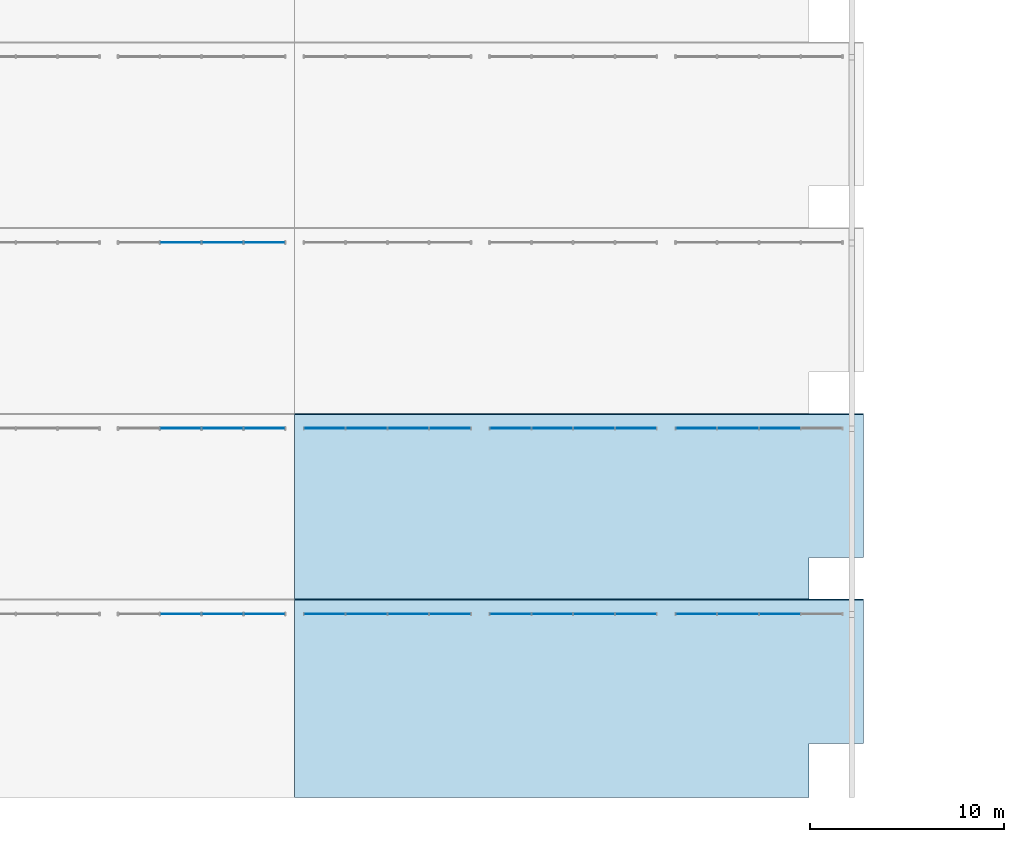
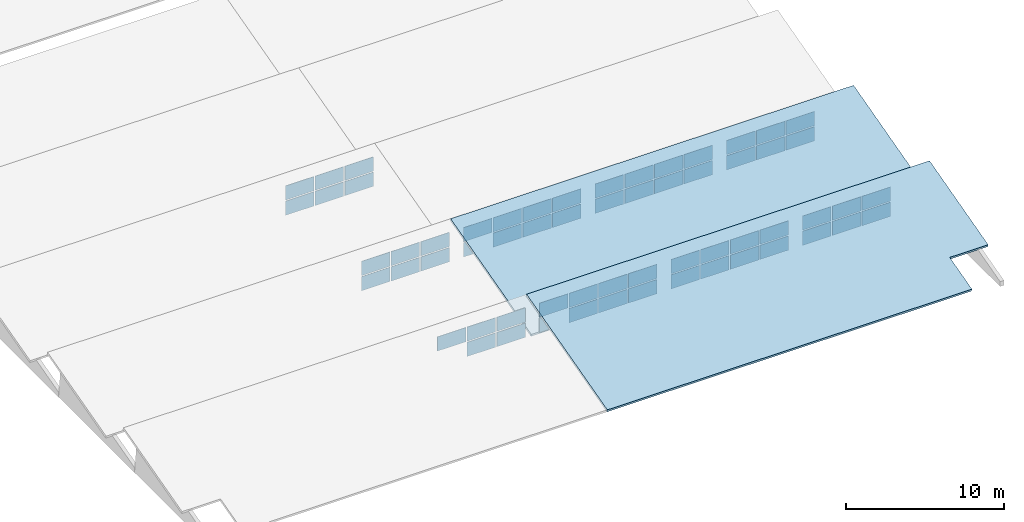
# One storey, part 11 of 18: 61 plates, 2 slabs, 9 elements without a shape of their own.
"""IFC4 building model written with IfcOpenShell, lengths in metres."""

from ifc_helpers import new_model, si_unit, direction, frame, origin, origin_2d, place, context, subcontext, project, spatial, polyline, rectangle, outline, extrude, material, layer, layer_set, type_object, element, aggregate, save


model = new_model("IFC4")

# Units and contexts
model_context = context("Model", 3, precision=1e-05, world=origin(), true_north=direction((0.0, 1.0)))
body_context = subcontext(model_context, "Body", "Model", "MODEL_VIEW")
ifc_project = project(units=[si_unit("LENGTHUNIT", "METRE"), si_unit("AREAUNIT", "SQUARE_METRE"), si_unit("VOLUMEUNIT", "CUBIC_METRE"), si_unit("PLANEANGLEUNIT", "RADIAN"), si_unit("MASSUNIT", "GRAM", prefix="KILO")], contexts=[model_context])

# Site, building, storey
site_placement = place(None, origin())
site = spatial("IfcSite", under=ifc_project, at=site_placement, CompositionType="ELEMENT")
building_placement = place(site_placement, origin())
building = spatial("IfcBuilding", under=site, at=building_placement, Name="Bempovik Park Faculty of Sciences", CompositionType="ELEMENT")
storey_placement = place(building_placement, frame((0.0, 0.0, 50.10009765625)))
storey = spatial("IfcBuildingStorey", under=building, at=storey_placement, Name="Roof", CompositionType="ELEMENT", Elevation=50.10009765625)

# Curtain wall, plates
ifc_material_1 = material(Name="Tempered laminated low-E glass", Category="glass")
ifc_layer_1 = layer(ifc_material_1, 0.159912109375)
ifc_layer_set_1 = layer_set([ifc_layer_1], Name="Tempered laminated low-E glass")
curtain_wall_type_1 = type_object("IfcCurtainWallType", Name="CW-53 Curtain 8000x2550", PredefinedType="USERDEFINED", material=ifc_layer_set_1)
curtain_wall_1_placement = place(storey_placement, origin())
curtain_wall_1 = element("IfcCurtainWall", 1, at=curtain_wall_1_placement, inside=storey, type_object=curtain_wall_type_1, Name="V1 Sawtooth North-Light Clerestory Bay 1 (79.2-88.8)", ObjectType="NORTH LIGHT CLERESTORY", PredefinedType="USERDEFINED")
ifc_layer_2 = layer(ifc_material_1, 0.031982421875)
ifc_layer_set_2 = layer_set([ifc_layer_2], Name="Tempered laminated low-E glass")
plate_type = type_object("IfcPlateType", Name="CP-23 Curtain Panel 32mm", PredefinedType="CURTAIN_PANEL", material=ifc_layer_set_2)
plate_1_placement = place(storey_placement, frame((82.919921875, 29.280029296875, -28.98388671875), z_axis=(0.0, 0.0, 1.0), x_axis=(1.0, 0.0, 0.0)))
plate_1 = element("IfcPlate", 2, at=plate_1_placement, type_object=plate_type, Name="CW-NL-V1-B1-792 Panel 1-1", PredefinedType="CURTAIN_PANEL", context=body_context, shape_type="SweptSolid", body=[
    extrude(rectangle(XDim=2.080078125, YDim=0.035888671875, at=origin_2d()), origin(), (0.0, 0.0, 1.0), 1.09619140625),
])
plate_2_placement = place(storey_placement, frame((85.080078125, 29.280029296875, -30.16015625), z_axis=(0.0, 0.0, 1.0), x_axis=(1.0, 0.0, 0.0)))
plate_2 = element("IfcPlate", 3, at=plate_2_placement, type_object=plate_type, Name="CW-NL-V1-B1-792 Panel 2-0", PredefinedType="CURTAIN_PANEL", context=body_context, shape_type="SweptSolid", body=[
    extrude(rectangle(XDim=2.080078125, YDim=0.035888671875, at=origin_2d()), origin(), (0.0, 0.0, 1.0), 1.09619140625),
])
plate_3_placement = place(storey_placement, frame((85.080078125, 29.280029296875, -28.98388671875), z_axis=(0.0, 0.0, 1.0), x_axis=(1.0, 0.0, 0.0)))
plate_3 = element("IfcPlate", 4, at=plate_3_placement, type_object=plate_type, Name="CW-NL-V1-B1-792 Panel 2-1", PredefinedType="CURTAIN_PANEL", context=body_context, shape_type="SweptSolid", body=[
    extrude(rectangle(XDim=2.080078125, YDim=0.035888671875, at=origin_2d()), origin(), (0.0, 0.0, 1.0), 1.09619140625),
])
plate_4_placement = place(storey_placement, frame((87.239990234375, 29.280029296875, -30.16015625), z_axis=(0.0, 0.0, 1.0), x_axis=(1.0, 0.0, 0.0)))
plate_4 = element("IfcPlate", 5, at=plate_4_placement, type_object=plate_type, Name="CW-NL-V1-B1-792 Panel 3-0", PredefinedType="CURTAIN_PANEL", context=body_context, shape_type="SweptSolid", body=[
    extrude(rectangle(XDim=2.080078125, YDim=0.035888671875, at=origin_2d()), origin(), (0.0, 0.0, 1.0), 1.09619140625),
])
plate_5_placement = place(storey_placement, frame((87.239990234375, 29.280029296875, -28.98388671875), z_axis=(0.0, 0.0, 1.0), x_axis=(1.0, 0.0, 0.0)))
plate_5 = element("IfcPlate", 6, at=plate_5_placement, type_object=plate_type, Name="CW-NL-V1-B1-792 Panel 3-1", PredefinedType="CURTAIN_PANEL", context=body_context, shape_type="SweptSolid", body=[
    extrude(rectangle(XDim=2.080078125, YDim=0.035888671875, at=origin_2d()), origin(), (0.0, 0.0, 1.0), 1.09619140625),
])
aggregate(curtain_wall_1, [plate_1, plate_2, plate_3, plate_4, plate_5])

curtain_wall_2_placement = place(storey_placement, origin())
curtain_wall_2 = element("IfcCurtainWall", 7, at=curtain_wall_2_placement, inside=storey, type_object=curtain_wall_type_1, Name="V1 Sawtooth North-Light Clerestory Bay 1 (88.8-98.4)", ObjectType="NORTH LIGHT CLERESTORY", PredefinedType="USERDEFINED")
plate_6_placement = place(storey_placement, frame((90.360107421875, 29.280029296875, -30.16015625), z_axis=(0.0, 0.0, 1.0), x_axis=(1.0, 0.0, 0.0)))
plate_6 = element("IfcPlate", 8, at=plate_6_placement, type_object=plate_type, Name="CW-NL-V1-B1-888 Panel 0-0", PredefinedType="CURTAIN_PANEL", context=body_context, shape_type="SweptSolid", body=[
    extrude(rectangle(XDim=2.080078125, YDim=0.035888671875, at=origin_2d()), origin(), (0.0, 0.0, 1.0), 1.09619140625),
])
plate_7_placement = place(storey_placement, frame((90.360107421875, 29.280029296875, -28.98388671875), z_axis=(0.0, 0.0, 1.0), x_axis=(1.0, 0.0, 0.0)))
plate_7 = element("IfcPlate", 9, at=plate_7_placement, type_object=plate_type, Name="CW-NL-V1-B1-888 Panel 0-1", PredefinedType="CURTAIN_PANEL", context=body_context, shape_type="SweptSolid", body=[
    extrude(rectangle(XDim=2.080078125, YDim=0.035888671875, at=origin_2d()), origin(), (0.0, 0.0, 1.0), 1.09619140625),
])
plate_8_placement = place(storey_placement, frame((92.52001953125, 29.280029296875, -30.16015625), z_axis=(0.0, 0.0, 1.0), x_axis=(1.0, 0.0, 0.0)))
plate_8 = element("IfcPlate", 10, at=plate_8_placement, type_object=plate_type, Name="CW-NL-V1-B1-888 Panel 1-0", PredefinedType="CURTAIN_PANEL", context=body_context, shape_type="SweptSolid", body=[
    extrude(rectangle(XDim=2.080078125, YDim=0.035888671875, at=origin_2d()), origin(), (0.0, 0.0, 1.0), 1.09619140625),
])
plate_9_placement = place(storey_placement, frame((92.52001953125, 29.280029296875, -28.98388671875), z_axis=(0.0, 0.0, 1.0), x_axis=(1.0, 0.0, 0.0)))
plate_9 = element("IfcPlate", 11, at=plate_9_placement, type_object=plate_type, Name="CW-NL-V1-B1-888 Panel 1-1", PredefinedType="CURTAIN_PANEL", context=body_context, shape_type="SweptSolid", body=[
    extrude(rectangle(XDim=2.080078125, YDim=0.035888671875, at=origin_2d()), origin(), (0.0, 0.0, 1.0), 1.09619140625),
])
plate_10_placement = place(storey_placement, frame((94.679931640625, 29.280029296875, -30.16015625), z_axis=(0.0, 0.0, 1.0), x_axis=(1.0, 0.0, 0.0)))
plate_10 = element("IfcPlate", 12, at=plate_10_placement, type_object=plate_type, Name="CW-NL-V1-B1-888 Panel 2-0", PredefinedType="CURTAIN_PANEL", context=body_context, shape_type="SweptSolid", body=[
    extrude(rectangle(XDim=2.080078125, YDim=0.035888671875, at=origin_2d()), origin(), (0.0, 0.0, 1.0), 1.09619140625),
])
plate_11_placement = place(storey_placement, frame((94.679931640625, 29.280029296875, -28.98388671875), z_axis=(0.0, 0.0, 1.0), x_axis=(1.0, 0.0, 0.0)))
plate_11 = element("IfcPlate", 13, at=plate_11_placement, type_object=plate_type, Name="CW-NL-V1-B1-888 Panel 2-1", PredefinedType="CURTAIN_PANEL", context=body_context, shape_type="SweptSolid", body=[
    extrude(rectangle(XDim=2.080078125, YDim=0.035888671875, at=origin_2d()), origin(), (0.0, 0.0, 1.0), 1.09619140625),
])
plate_12_placement = place(storey_placement, frame((96.840087890625, 29.280029296875, -30.16015625), z_axis=(0.0, 0.0, 1.0), x_axis=(1.0, 0.0, 0.0)))
plate_12 = element("IfcPlate", 14, at=plate_12_placement, type_object=plate_type, Name="CW-NL-V1-B1-888 Panel 3-0", PredefinedType="CURTAIN_PANEL", context=body_context, shape_type="SweptSolid", body=[
    extrude(rectangle(XDim=2.080078125, YDim=0.035888671875, at=origin_2d()), origin(), (0.0, 0.0, 1.0), 1.09619140625),
])
plate_13_placement = place(storey_placement, frame((96.840087890625, 29.280029296875, -28.98388671875), z_axis=(0.0, 0.0, 1.0), x_axis=(1.0, 0.0, 0.0)))
plate_13 = element("IfcPlate", 15, at=plate_13_placement, type_object=plate_type, Name="CW-NL-V1-B1-888 Panel 3-1", PredefinedType="CURTAIN_PANEL", context=body_context, shape_type="SweptSolid", body=[
    extrude(rectangle(XDim=2.080078125, YDim=0.035888671875, at=origin_2d()), origin(), (0.0, 0.0, 1.0), 1.09619140625),
])
aggregate(curtain_wall_2, [plate_6, plate_7, plate_8, plate_9, plate_10, plate_11, plate_12, plate_13])

curtain_wall_3_placement = place(storey_placement, origin())
curtain_wall_3 = element("IfcCurtainWall", 16, at=curtain_wall_3_placement, inside=storey, type_object=curtain_wall_type_1, Name="V1 Sawtooth North-Light Clerestory Bay 1 (98.4-108.0)", ObjectType="NORTH LIGHT CLERESTORY", PredefinedType="USERDEFINED")
plate_14_placement = place(storey_placement, frame((99.9599609375, 29.280029296875, -30.16015625), z_axis=(0.0, 0.0, 1.0), x_axis=(1.0, 0.0, 0.0)))
plate_14 = element("IfcPlate", 17, at=plate_14_placement, type_object=plate_type, Name="CW-NL-V1-B1-984 Panel 0-0", PredefinedType="CURTAIN_PANEL", context=body_context, shape_type="SweptSolid", body=[
    extrude(rectangle(XDim=2.080078125, YDim=0.035888671875, at=origin_2d()), origin(), (0.0, 0.0, 1.0), 1.09619140625),
])
plate_15_placement = place(storey_placement, frame((99.9599609375, 29.280029296875, -28.98388671875), z_axis=(0.0, 0.0, 1.0), x_axis=(1.0, 0.0, 0.0)))
plate_15 = element("IfcPlate", 18, at=plate_15_placement, type_object=plate_type, Name="CW-NL-V1-B1-984 Panel 0-1", PredefinedType="CURTAIN_PANEL", context=body_context, shape_type="SweptSolid", body=[
    extrude(rectangle(XDim=2.080078125, YDim=0.035888671875, at=origin_2d()), origin(), (0.0, 0.0, 1.0), 1.09619140625),
])
plate_16_placement = place(storey_placement, frame((102.1201171875, 29.280029296875, -30.16015625), z_axis=(0.0, 0.0, 1.0), x_axis=(1.0, 0.0, 0.0)))
plate_16 = element("IfcPlate", 19, at=plate_16_placement, type_object=plate_type, Name="CW-NL-V1-B1-984 Panel 1-0", PredefinedType="CURTAIN_PANEL", context=body_context, shape_type="SweptSolid", body=[
    extrude(rectangle(XDim=2.080078125, YDim=0.035888671875, at=origin_2d()), origin(), (0.0, 0.0, 1.0), 1.09619140625),
])
plate_17_placement = place(storey_placement, frame((102.1201171875, 29.280029296875, -28.98388671875), z_axis=(0.0, 0.0, 1.0), x_axis=(1.0, 0.0, 0.0)))
plate_17 = element("IfcPlate", 20, at=plate_17_placement, type_object=plate_type, Name="CW-NL-V1-B1-984 Panel 1-1", PredefinedType="CURTAIN_PANEL", context=body_context, shape_type="SweptSolid", body=[
    extrude(rectangle(XDim=2.080078125, YDim=0.035888671875, at=origin_2d()), origin(), (0.0, 0.0, 1.0), 1.09619140625),
])
plate_18_placement = place(storey_placement, frame((104.280029296875, 29.280029296875, -30.16015625), z_axis=(0.0, 0.0, 1.0), x_axis=(1.0, 0.0, 0.0)))
plate_18 = element("IfcPlate", 21, at=plate_18_placement, type_object=plate_type, Name="CW-NL-V1-B1-984 Panel 2-0", PredefinedType="CURTAIN_PANEL", context=body_context, shape_type="SweptSolid", body=[
    extrude(rectangle(XDim=2.080078125, YDim=0.035888671875, at=origin_2d()), origin(), (0.0, 0.0, 1.0), 1.09619140625),
])
plate_19_placement = place(storey_placement, frame((104.280029296875, 29.280029296875, -28.98388671875), z_axis=(0.0, 0.0, 1.0), x_axis=(1.0, 0.0, 0.0)))
plate_19 = element("IfcPlate", 22, at=plate_19_placement, type_object=plate_type, Name="CW-NL-V1-B1-984 Panel 2-1", PredefinedType="CURTAIN_PANEL", context=body_context, shape_type="SweptSolid", body=[
    extrude(rectangle(XDim=2.080078125, YDim=0.035888671875, at=origin_2d()), origin(), (0.0, 0.0, 1.0), 1.09619140625),
])
plate_20_placement = place(storey_placement, frame((106.43994140625, 29.280029296875, -30.16015625), z_axis=(0.0, 0.0, 1.0), x_axis=(1.0, 0.0, 0.0)))
plate_20 = element("IfcPlate", 23, at=plate_20_placement, type_object=plate_type, Name="CW-NL-V1-B1-984 Panel 3-0", PredefinedType="CURTAIN_PANEL", context=body_context, shape_type="SweptSolid", body=[
    extrude(rectangle(XDim=2.080078125, YDim=0.035888671875, at=origin_2d()), origin(), (0.0, 0.0, 1.0), 1.09619140625),
])
plate_21_placement = place(storey_placement, frame((106.43994140625, 29.280029296875, -28.98388671875), z_axis=(0.0, 0.0, 1.0), x_axis=(1.0, 0.0, 0.0)))
plate_21 = element("IfcPlate", 24, at=plate_21_placement, type_object=plate_type, Name="CW-NL-V1-B1-984 Panel 3-1", PredefinedType="CURTAIN_PANEL", context=body_context, shape_type="SweptSolid", body=[
    extrude(rectangle(XDim=2.080078125, YDim=0.035888671875, at=origin_2d()), origin(), (0.0, 0.0, 1.0), 1.09619140625),
])
aggregate(curtain_wall_3, [plate_14, plate_15, plate_16, plate_17, plate_18, plate_19, plate_20, plate_21])

ifc_layer_3 = layer(ifc_material_1, 0.159912109375)
ifc_layer_set_3 = layer_set([ifc_layer_3], Name="Tempered laminated low-E glass")
curtain_wall_type_2 = type_object("IfcCurtainWallType", Name="CW-17 Curtain 7200x2550", PredefinedType="USERDEFINED", material=ifc_layer_set_3)
curtain_wall_4_placement = place(storey_placement, origin())
curtain_wall_4 = element("IfcCurtainWall", 25, at=curtain_wall_4_placement, inside=storey, type_object=curtain_wall_type_2, Name="V1 Sawtooth North-Light Clerestory Bay 1 (108.0-117.6)", ObjectType="NORTH LIGHT CLERESTORY", PredefinedType="USERDEFINED")
plate_22_placement = place(storey_placement, frame((109.56005859375, 29.280029296875, -30.16015625), z_axis=(0.0, 0.0, 1.0), x_axis=(1.0, 0.0, 0.0)))
plate_22 = element("IfcPlate", 26, at=plate_22_placement, type_object=plate_type, Name="CW-NL-V1-B1-1080 Panel 0-0", PredefinedType="CURTAIN_PANEL", context=body_context, shape_type="SweptSolid", body=[
    extrude(rectangle(XDim=2.080078125, YDim=0.035888671875, at=origin_2d()), origin(), (0.0, 0.0, 1.0), 1.09619140625),
])
plate_23_placement = place(storey_placement, frame((109.56005859375, 29.280029296875, -28.98388671875), z_axis=(0.0, 0.0, 1.0), x_axis=(1.0, 0.0, 0.0)))
plate_23 = element("IfcPlate", 27, at=plate_23_placement, type_object=plate_type, Name="CW-NL-V1-B1-1080 Panel 0-1", PredefinedType="CURTAIN_PANEL", context=body_context, shape_type="SweptSolid", body=[
    extrude(rectangle(XDim=2.080078125, YDim=0.035888671875, at=origin_2d()), origin(), (0.0, 0.0, 1.0), 1.09619140625),
])
plate_24_placement = place(storey_placement, frame((111.719970703125, 29.280029296875, -30.16015625), z_axis=(0.0, 0.0, 1.0), x_axis=(1.0, 0.0, 0.0)))
plate_24 = element("IfcPlate", 28, at=plate_24_placement, type_object=plate_type, Name="CW-NL-V1-B1-1080 Panel 1-0", PredefinedType="CURTAIN_PANEL", context=body_context, shape_type="SweptSolid", body=[
    extrude(rectangle(XDim=2.080078125, YDim=0.035888671875, at=origin_2d()), origin(), (0.0, 0.0, 1.0), 1.09619140625),
])
plate_25_placement = place(storey_placement, frame((111.719970703125, 29.280029296875, -28.98388671875), z_axis=(0.0, 0.0, 1.0), x_axis=(1.0, 0.0, 0.0)))
plate_25 = element("IfcPlate", 29, at=plate_25_placement, type_object=plate_type, Name="CW-NL-V1-B1-1080 Panel 1-1", PredefinedType="CURTAIN_PANEL", context=body_context, shape_type="SweptSolid", body=[
    extrude(rectangle(XDim=2.080078125, YDim=0.035888671875, at=origin_2d()), origin(), (0.0, 0.0, 1.0), 1.09619140625),
])
plate_26_placement = place(storey_placement, frame((113.8798828125, 29.280029296875, -30.16015625), z_axis=(0.0, 0.0, 1.0), x_axis=(1.0, 0.0, 0.0)))
plate_26 = element("IfcPlate", 30, at=plate_26_placement, type_object=plate_type, Name="CW-NL-V1-B1-1080 Panel 2-0", PredefinedType="CURTAIN_PANEL", context=body_context, shape_type="SweptSolid", body=[
    extrude(rectangle(XDim=2.080078125, YDim=0.035888671875, at=origin_2d()), origin(), (0.0, 0.0, 1.0), 1.09619140625),
])
plate_27_placement = place(storey_placement, frame((113.8798828125, 29.280029296875, -28.98388671875), z_axis=(0.0, 0.0, 1.0), x_axis=(1.0, 0.0, 0.0)))
plate_27 = element("IfcPlate", 31, at=plate_27_placement, type_object=plate_type, Name="CW-NL-V1-B1-1080 Panel 2-1", PredefinedType="CURTAIN_PANEL", context=body_context, shape_type="SweptSolid", body=[
    extrude(rectangle(XDim=2.080078125, YDim=0.035888671875, at=origin_2d()), origin(), (0.0, 0.0, 1.0), 1.09619140625),
])
aggregate(curtain_wall_4, [plate_22, plate_23, plate_24, plate_25, plate_26, plate_27])

curtain_wall_5_placement = place(storey_placement, origin())
curtain_wall_5 = element("IfcCurtainWall", 32, at=curtain_wall_5_placement, inside=storey, type_object=curtain_wall_type_1, Name="V1 Sawtooth North-Light Clerestory Bay 2 (79.2-88.8)", ObjectType="NORTH LIGHT CLERESTORY", PredefinedType="USERDEFINED")
plate_28_placement = place(storey_placement, frame((82.919921875, 38.8798828125, -30.16015625), z_axis=(0.0, 0.0, 1.0), x_axis=(1.0, 0.0, 0.0)))
plate_28 = element("IfcPlate", 33, at=plate_28_placement, type_object=plate_type, Name="CW-NL-V1-B2-792 Panel 1-0", PredefinedType="CURTAIN_PANEL", context=body_context, shape_type="SweptSolid", body=[
    extrude(rectangle(XDim=2.080078125, YDim=0.035888671875, at=origin_2d()), origin(), (0.0, 0.0, 1.0), 1.09619140625),
])
plate_29_placement = place(storey_placement, frame((82.919921875, 38.8798828125, -28.98388671875), z_axis=(0.0, 0.0, 1.0), x_axis=(1.0, 0.0, 0.0)))
plate_29 = element("IfcPlate", 34, at=plate_29_placement, type_object=plate_type, Name="CW-NL-V1-B2-792 Panel 1-1", PredefinedType="CURTAIN_PANEL", context=body_context, shape_type="SweptSolid", body=[
    extrude(rectangle(XDim=2.080078125, YDim=0.035888671875, at=origin_2d()), origin(), (0.0, 0.0, 1.0), 1.09619140625),
])
plate_30_placement = place(storey_placement, frame((85.080078125, 38.8798828125, -30.16015625), z_axis=(0.0, 0.0, 1.0), x_axis=(1.0, 0.0, 0.0)))
plate_30 = element("IfcPlate", 35, at=plate_30_placement, type_object=plate_type, Name="CW-NL-V1-B2-792 Panel 2-0", PredefinedType="CURTAIN_PANEL", context=body_context, shape_type="SweptSolid", body=[
    extrude(rectangle(XDim=2.080078125, YDim=0.035888671875, at=origin_2d()), origin(), (0.0, 0.0, 1.0), 1.09619140625),
])
plate_31_placement = place(storey_placement, frame((85.080078125, 38.8798828125, -28.98388671875), z_axis=(0.0, 0.0, 1.0), x_axis=(1.0, 0.0, 0.0)))
plate_31 = element("IfcPlate", 36, at=plate_31_placement, type_object=plate_type, Name="CW-NL-V1-B2-792 Panel 2-1", PredefinedType="CURTAIN_PANEL", context=body_context, shape_type="SweptSolid", body=[
    extrude(rectangle(XDim=2.080078125, YDim=0.035888671875, at=origin_2d()), origin(), (0.0, 0.0, 1.0), 1.09619140625),
])
plate_32_placement = place(storey_placement, frame((87.239990234375, 38.8798828125, -30.16015625), z_axis=(0.0, 0.0, 1.0), x_axis=(1.0, 0.0, 0.0)))
plate_32 = element("IfcPlate", 37, at=plate_32_placement, type_object=plate_type, Name="CW-NL-V1-B2-792 Panel 3-0", PredefinedType="CURTAIN_PANEL", context=body_context, shape_type="SweptSolid", body=[
    extrude(rectangle(XDim=2.080078125, YDim=0.035888671875, at=origin_2d()), origin(), (0.0, 0.0, 1.0), 1.09619140625),
])
plate_33_placement = place(storey_placement, frame((87.239990234375, 38.8798828125, -28.98388671875), z_axis=(0.0, 0.0, 1.0), x_axis=(1.0, 0.0, 0.0)))
plate_33 = element("IfcPlate", 38, at=plate_33_placement, type_object=plate_type, Name="CW-NL-V1-B2-792 Panel 3-1", PredefinedType="CURTAIN_PANEL", context=body_context, shape_type="SweptSolid", body=[
    extrude(rectangle(XDim=2.080078125, YDim=0.035888671875, at=origin_2d()), origin(), (0.0, 0.0, 1.0), 1.09619140625),
])
aggregate(curtain_wall_5, [plate_28, plate_29, plate_30, plate_31, plate_32, plate_33])

curtain_wall_6_placement = place(storey_placement, origin())
curtain_wall_6 = element("IfcCurtainWall", 39, at=curtain_wall_6_placement, inside=storey, type_object=curtain_wall_type_1, Name="V1 Sawtooth North-Light Clerestory Bay 2 (88.8-98.4)", ObjectType="NORTH LIGHT CLERESTORY", PredefinedType="USERDEFINED")
plate_34_placement = place(storey_placement, frame((90.360107421875, 38.8798828125, -30.16015625), z_axis=(0.0, 0.0, 1.0), x_axis=(1.0, 0.0, 0.0)))
plate_34 = element("IfcPlate", 40, at=plate_34_placement, type_object=plate_type, Name="CW-NL-V1-B2-888 Panel 0-0", PredefinedType="CURTAIN_PANEL", context=body_context, shape_type="SweptSolid", body=[
    extrude(rectangle(XDim=2.080078125, YDim=0.035888671875, at=origin_2d()), origin(), (0.0, 0.0, 1.0), 1.09619140625),
])
plate_35_placement = place(storey_placement, frame((90.360107421875, 38.8798828125, -28.98388671875), z_axis=(0.0, 0.0, 1.0), x_axis=(1.0, 0.0, 0.0)))
plate_35 = element("IfcPlate", 41, at=plate_35_placement, type_object=plate_type, Name="CW-NL-V1-B2-888 Panel 0-1", PredefinedType="CURTAIN_PANEL", context=body_context, shape_type="SweptSolid", body=[
    extrude(rectangle(XDim=2.080078125, YDim=0.035888671875, at=origin_2d()), origin(), (0.0, 0.0, 1.0), 1.09619140625),
])
plate_36_placement = place(storey_placement, frame((92.52001953125, 38.8798828125, -30.16015625), z_axis=(0.0, 0.0, 1.0), x_axis=(1.0, 0.0, 0.0)))
plate_36 = element("IfcPlate", 42, at=plate_36_placement, type_object=plate_type, Name="CW-NL-V1-B2-888 Panel 1-0", PredefinedType="CURTAIN_PANEL", context=body_context, shape_type="SweptSolid", body=[
    extrude(rectangle(XDim=2.080078125, YDim=0.035888671875, at=origin_2d()), origin(), (0.0, 0.0, 1.0), 1.09619140625),
])
plate_37_placement = place(storey_placement, frame((92.52001953125, 38.8798828125, -28.98388671875), z_axis=(0.0, 0.0, 1.0), x_axis=(1.0, 0.0, 0.0)))
plate_37 = element("IfcPlate", 43, at=plate_37_placement, type_object=plate_type, Name="CW-NL-V1-B2-888 Panel 1-1", PredefinedType="CURTAIN_PANEL", context=body_context, shape_type="SweptSolid", body=[
    extrude(rectangle(XDim=2.080078125, YDim=0.035888671875, at=origin_2d()), origin(), (0.0, 0.0, 1.0), 1.09619140625),
])
plate_38_placement = place(storey_placement, frame((94.679931640625, 38.8798828125, -30.16015625), z_axis=(0.0, 0.0, 1.0), x_axis=(1.0, 0.0, 0.0)))
plate_38 = element("IfcPlate", 44, at=plate_38_placement, type_object=plate_type, Name="CW-NL-V1-B2-888 Panel 2-0", PredefinedType="CURTAIN_PANEL", context=body_context, shape_type="SweptSolid", body=[
    extrude(rectangle(XDim=2.080078125, YDim=0.035888671875, at=origin_2d()), origin(), (0.0, 0.0, 1.0), 1.09619140625),
])
plate_39_placement = place(storey_placement, frame((94.679931640625, 38.8798828125, -28.98388671875), z_axis=(0.0, 0.0, 1.0), x_axis=(1.0, 0.0, 0.0)))
plate_39 = element("IfcPlate", 45, at=plate_39_placement, type_object=plate_type, Name="CW-NL-V1-B2-888 Panel 2-1", PredefinedType="CURTAIN_PANEL", context=body_context, shape_type="SweptSolid", body=[
    extrude(rectangle(XDim=2.080078125, YDim=0.035888671875, at=origin_2d()), origin(), (0.0, 0.0, 1.0), 1.09619140625),
])
plate_40_placement = place(storey_placement, frame((96.840087890625, 38.8798828125, -30.16015625), z_axis=(0.0, 0.0, 1.0), x_axis=(1.0, 0.0, 0.0)))
plate_40 = element("IfcPlate", 46, at=plate_40_placement, type_object=plate_type, Name="CW-NL-V1-B2-888 Panel 3-0", PredefinedType="CURTAIN_PANEL", context=body_context, shape_type="SweptSolid", body=[
    extrude(rectangle(XDim=2.080078125, YDim=0.035888671875, at=origin_2d()), origin(), (0.0, 0.0, 1.0), 1.09619140625),
])
plate_41_placement = place(storey_placement, frame((96.840087890625, 38.8798828125, -28.98388671875), z_axis=(0.0, 0.0, 1.0), x_axis=(1.0, 0.0, 0.0)))
plate_41 = element("IfcPlate", 47, at=plate_41_placement, type_object=plate_type, Name="CW-NL-V1-B2-888 Panel 3-1", PredefinedType="CURTAIN_PANEL", context=body_context, shape_type="SweptSolid", body=[
    extrude(rectangle(XDim=2.080078125, YDim=0.035888671875, at=origin_2d()), origin(), (0.0, 0.0, 1.0), 1.09619140625),
])
aggregate(curtain_wall_6, [plate_34, plate_35, plate_36, plate_37, plate_38, plate_39, plate_40, plate_41])

curtain_wall_7_placement = place(storey_placement, origin())
curtain_wall_7 = element("IfcCurtainWall", 48, at=curtain_wall_7_placement, inside=storey, type_object=curtain_wall_type_1, Name="V1 Sawtooth North-Light Clerestory Bay 2 (98.4-108.0)", ObjectType="NORTH LIGHT CLERESTORY", PredefinedType="USERDEFINED")
plate_42_placement = place(storey_placement, frame((99.9599609375, 38.8798828125, -30.16015625), z_axis=(0.0, 0.0, 1.0), x_axis=(1.0, 0.0, 0.0)))
plate_42 = element("IfcPlate", 49, at=plate_42_placement, type_object=plate_type, Name="CW-NL-V1-B2-984 Panel 0-0", PredefinedType="CURTAIN_PANEL", context=body_context, shape_type="SweptSolid", body=[
    extrude(rectangle(XDim=2.080078125, YDim=0.035888671875, at=origin_2d()), origin(), (0.0, 0.0, 1.0), 1.09619140625),
])
plate_43_placement = place(storey_placement, frame((99.9599609375, 38.8798828125, -28.98388671875), z_axis=(0.0, 0.0, 1.0), x_axis=(1.0, 0.0, 0.0)))
plate_43 = element("IfcPlate", 50, at=plate_43_placement, type_object=plate_type, Name="CW-NL-V1-B2-984 Panel 0-1", PredefinedType="CURTAIN_PANEL", context=body_context, shape_type="SweptSolid", body=[
    extrude(rectangle(XDim=2.080078125, YDim=0.035888671875, at=origin_2d()), origin(), (0.0, 0.0, 1.0), 1.09619140625),
])
plate_44_placement = place(storey_placement, frame((102.1201171875, 38.8798828125, -30.16015625), z_axis=(0.0, 0.0, 1.0), x_axis=(1.0, 0.0, 0.0)))
plate_44 = element("IfcPlate", 51, at=plate_44_placement, type_object=plate_type, Name="CW-NL-V1-B2-984 Panel 1-0", PredefinedType="CURTAIN_PANEL", context=body_context, shape_type="SweptSolid", body=[
    extrude(rectangle(XDim=2.080078125, YDim=0.035888671875, at=origin_2d()), origin(), (0.0, 0.0, 1.0), 1.09619140625),
])
plate_45_placement = place(storey_placement, frame((102.1201171875, 38.8798828125, -28.98388671875), z_axis=(0.0, 0.0, 1.0), x_axis=(1.0, 0.0, 0.0)))
plate_45 = element("IfcPlate", 52, at=plate_45_placement, type_object=plate_type, Name="CW-NL-V1-B2-984 Panel 1-1", PredefinedType="CURTAIN_PANEL", context=body_context, shape_type="SweptSolid", body=[
    extrude(rectangle(XDim=2.080078125, YDim=0.035888671875, at=origin_2d()), origin(), (0.0, 0.0, 1.0), 1.09619140625),
])
plate_46_placement = place(storey_placement, frame((104.280029296875, 38.8798828125, -30.16015625), z_axis=(0.0, 0.0, 1.0), x_axis=(1.0, 0.0, 0.0)))
plate_46 = element("IfcPlate", 53, at=plate_46_placement, type_object=plate_type, Name="CW-NL-V1-B2-984 Panel 2-0", PredefinedType="CURTAIN_PANEL", context=body_context, shape_type="SweptSolid", body=[
    extrude(rectangle(XDim=2.080078125, YDim=0.035888671875, at=origin_2d()), origin(), (0.0, 0.0, 1.0), 1.09619140625),
])
plate_47_placement = place(storey_placement, frame((104.280029296875, 38.8798828125, -28.98388671875), z_axis=(0.0, 0.0, 1.0), x_axis=(1.0, 0.0, 0.0)))
plate_47 = element("IfcPlate", 54, at=plate_47_placement, type_object=plate_type, Name="CW-NL-V1-B2-984 Panel 2-1", PredefinedType="CURTAIN_PANEL", context=body_context, shape_type="SweptSolid", body=[
    extrude(rectangle(XDim=2.080078125, YDim=0.035888671875, at=origin_2d()), origin(), (0.0, 0.0, 1.0), 1.09619140625),
])
plate_48_placement = place(storey_placement, frame((106.43994140625, 38.8798828125, -30.16015625), z_axis=(0.0, 0.0, 1.0), x_axis=(1.0, 0.0, 0.0)))
plate_48 = element("IfcPlate", 55, at=plate_48_placement, type_object=plate_type, Name="CW-NL-V1-B2-984 Panel 3-0", PredefinedType="CURTAIN_PANEL", context=body_context, shape_type="SweptSolid", body=[
    extrude(rectangle(XDim=2.080078125, YDim=0.035888671875, at=origin_2d()), origin(), (0.0, 0.0, 1.0), 1.09619140625),
])
plate_49_placement = place(storey_placement, frame((106.43994140625, 38.8798828125, -28.98388671875), z_axis=(0.0, 0.0, 1.0), x_axis=(1.0, 0.0, 0.0)))
plate_49 = element("IfcPlate", 56, at=plate_49_placement, type_object=plate_type, Name="CW-NL-V1-B2-984 Panel 3-1", PredefinedType="CURTAIN_PANEL", context=body_context, shape_type="SweptSolid", body=[
    extrude(rectangle(XDim=2.080078125, YDim=0.035888671875, at=origin_2d()), origin(), (0.0, 0.0, 1.0), 1.09619140625),
])
aggregate(curtain_wall_7, [plate_42, plate_43, plate_44, plate_45, plate_46, plate_47, plate_48, plate_49])

curtain_wall_8_placement = place(storey_placement, origin())
curtain_wall_8 = element("IfcCurtainWall", 57, at=curtain_wall_8_placement, inside=storey, type_object=curtain_wall_type_2, Name="V1 Sawtooth North-Light Clerestory Bay 2 (108.0-117.6)", ObjectType="NORTH LIGHT CLERESTORY", PredefinedType="USERDEFINED")
plate_50_placement = place(storey_placement, frame((109.56005859375, 38.8798828125, -30.16015625), z_axis=(0.0, 0.0, 1.0), x_axis=(1.0, 0.0, 0.0)))
plate_50 = element("IfcPlate", 58, at=plate_50_placement, type_object=plate_type, Name="CW-NL-V1-B2-1080 Panel 0-0", PredefinedType="CURTAIN_PANEL", context=body_context, shape_type="SweptSolid", body=[
    extrude(rectangle(XDim=2.080078125, YDim=0.035888671875, at=origin_2d()), origin(), (0.0, 0.0, 1.0), 1.09619140625),
])
plate_51_placement = place(storey_placement, frame((109.56005859375, 38.8798828125, -28.98388671875), z_axis=(0.0, 0.0, 1.0), x_axis=(1.0, 0.0, 0.0)))
plate_51 = element("IfcPlate", 59, at=plate_51_placement, type_object=plate_type, Name="CW-NL-V1-B2-1080 Panel 0-1", PredefinedType="CURTAIN_PANEL", context=body_context, shape_type="SweptSolid", body=[
    extrude(rectangle(XDim=2.080078125, YDim=0.035888671875, at=origin_2d()), origin(), (0.0, 0.0, 1.0), 1.09619140625),
])
plate_52_placement = place(storey_placement, frame((111.719970703125, 38.8798828125, -30.16015625), z_axis=(0.0, 0.0, 1.0), x_axis=(1.0, 0.0, 0.0)))
plate_52 = element("IfcPlate", 60, at=plate_52_placement, type_object=plate_type, Name="CW-NL-V1-B2-1080 Panel 1-0", PredefinedType="CURTAIN_PANEL", context=body_context, shape_type="SweptSolid", body=[
    extrude(rectangle(XDim=2.080078125, YDim=0.035888671875, at=origin_2d()), origin(), (0.0, 0.0, 1.0), 1.09619140625),
])
plate_53_placement = place(storey_placement, frame((111.719970703125, 38.8798828125, -28.98388671875), z_axis=(0.0, 0.0, 1.0), x_axis=(1.0, 0.0, 0.0)))
plate_53 = element("IfcPlate", 61, at=plate_53_placement, type_object=plate_type, Name="CW-NL-V1-B2-1080 Panel 1-1", PredefinedType="CURTAIN_PANEL", context=body_context, shape_type="SweptSolid", body=[
    extrude(rectangle(XDim=2.080078125, YDim=0.035888671875, at=origin_2d()), origin(), (0.0, 0.0, 1.0), 1.09619140625),
])
plate_54_placement = place(storey_placement, frame((113.8798828125, 38.8798828125, -30.16015625), z_axis=(0.0, 0.0, 1.0), x_axis=(1.0, 0.0, 0.0)))
plate_54 = element("IfcPlate", 62, at=plate_54_placement, type_object=plate_type, Name="CW-NL-V1-B2-1080 Panel 2-0", PredefinedType="CURTAIN_PANEL", context=body_context, shape_type="SweptSolid", body=[
    extrude(rectangle(XDim=2.080078125, YDim=0.035888671875, at=origin_2d()), origin(), (0.0, 0.0, 1.0), 1.09619140625),
])
plate_55_placement = place(storey_placement, frame((113.8798828125, 38.8798828125, -28.98388671875), z_axis=(0.0, 0.0, 1.0), x_axis=(1.0, 0.0, 0.0)))
plate_55 = element("IfcPlate", 63, at=plate_55_placement, type_object=plate_type, Name="CW-NL-V1-B2-1080 Panel 2-1", PredefinedType="CURTAIN_PANEL", context=body_context, shape_type="SweptSolid", body=[
    extrude(rectangle(XDim=2.080078125, YDim=0.035888671875, at=origin_2d()), origin(), (0.0, 0.0, 1.0), 1.09619140625),
])
aggregate(curtain_wall_8, [plate_50, plate_51, plate_52, plate_53, plate_54, plate_55])

curtain_wall_9_placement = place(storey_placement, origin())
curtain_wall_9 = element("IfcCurtainWall", 64, at=curtain_wall_9_placement, inside=storey, type_object=curtain_wall_type_1, Name="V1 Sawtooth North-Light Clerestory Bay 3 (79.2-88.8)", ObjectType="NORTH LIGHT CLERESTORY", PredefinedType="USERDEFINED")
plate_56_placement = place(storey_placement, frame((82.919921875, 48.47998046875, -30.16015625), z_axis=(0.0, 0.0, 1.0), x_axis=(1.0, 0.0, 0.0)))
plate_56 = element("IfcPlate", 65, at=plate_56_placement, type_object=plate_type, Name="CW-NL-V1-B3-792 Panel 1-0", PredefinedType="CURTAIN_PANEL", context=body_context, shape_type="SweptSolid", body=[
    extrude(rectangle(XDim=2.080078125, YDim=0.035888671875, at=origin_2d()), origin(), (0.0, 0.0, 1.0), 1.09619140625),
])
plate_57_placement = place(storey_placement, frame((82.919921875, 48.47998046875, -28.98388671875), z_axis=(0.0, 0.0, 1.0), x_axis=(1.0, 0.0, 0.0)))
plate_57 = element("IfcPlate", 66, at=plate_57_placement, type_object=plate_type, Name="CW-NL-V1-B3-792 Panel 1-1", PredefinedType="CURTAIN_PANEL", context=body_context, shape_type="SweptSolid", body=[
    extrude(rectangle(XDim=2.080078125, YDim=0.035888671875, at=origin_2d()), origin(), (0.0, 0.0, 1.0), 1.09619140625),
])
plate_58_placement = place(storey_placement, frame((85.080078125, 48.47998046875, -30.16015625), z_axis=(0.0, 0.0, 1.0), x_axis=(1.0, 0.0, 0.0)))
plate_58 = element("IfcPlate", 67, at=plate_58_placement, type_object=plate_type, Name="CW-NL-V1-B3-792 Panel 2-0", PredefinedType="CURTAIN_PANEL", context=body_context, shape_type="SweptSolid", body=[
    extrude(rectangle(XDim=2.080078125, YDim=0.035888671875, at=origin_2d()), origin(), (0.0, 0.0, 1.0), 1.09619140625),
])
plate_59_placement = place(storey_placement, frame((85.080078125, 48.47998046875, -28.98388671875), z_axis=(0.0, 0.0, 1.0), x_axis=(1.0, 0.0, 0.0)))
plate_59 = element("IfcPlate", 68, at=plate_59_placement, type_object=plate_type, Name="CW-NL-V1-B3-792 Panel 2-1", PredefinedType="CURTAIN_PANEL", context=body_context, shape_type="SweptSolid", body=[
    extrude(rectangle(XDim=2.080078125, YDim=0.035888671875, at=origin_2d()), origin(), (0.0, 0.0, 1.0), 1.09619140625),
])
plate_60_placement = place(storey_placement, frame((87.239990234375, 48.47998046875, -30.16015625), z_axis=(0.0, 0.0, 1.0), x_axis=(1.0, 0.0, 0.0)))
plate_60 = element("IfcPlate", 69, at=plate_60_placement, type_object=plate_type, Name="CW-NL-V1-B3-792 Panel 3-0", PredefinedType="CURTAIN_PANEL", context=body_context, shape_type="SweptSolid", body=[
    extrude(rectangle(XDim=2.080078125, YDim=0.035888671875, at=origin_2d()), origin(), (0.0, 0.0, 1.0), 1.09619140625),
])
plate_61_placement = place(storey_placement, frame((87.239990234375, 48.47998046875, -28.98388671875), z_axis=(0.0, 0.0, 1.0), x_axis=(1.0, 0.0, 0.0)))
plate_61 = element("IfcPlate", 70, at=plate_61_placement, type_object=plate_type, Name="CW-NL-V1-B3-792 Panel 3-1", PredefinedType="CURTAIN_PANEL", context=body_context, shape_type="SweptSolid", body=[
    extrude(rectangle(XDim=2.080078125, YDim=0.035888671875, at=origin_2d()), origin(), (0.0, 0.0, 1.0), 1.09619140625),
])
aggregate(curtain_wall_9, [plate_56, plate_57, plate_58, plate_59, plate_60, plate_61])

# Slabs
ifc_material_2 = material(Name="Concrete C35/45", Category="concrete")
ifc_layer_4 = layer(ifc_material_2, 0.18994140625)
ifc_layer_set_4 = layer_set([ifc_layer_4], Name="Concrete C35/45")
slab_type = type_object("IfcSlabType", Name="S-23 Slab 190mm", PredefinedType="ROOF", material=ifc_layer_set_4)
slab_1_placement = place(storey_placement, frame((88.800048828125, 19.800048828125, -30.2001953125), z_axis=(8.46538e-07, -0.258827043493, 0.965923683091), x_axis=(1.0, 2.19107e-07, -8.17691e-07)))
element("IfcSlab", 71, at=slab_1_placement, inside=storey, type_object=slab_type, Name="Sawtooth 15-deg North-Light Roof Slab V1 Bay 1 (E)", PredefinedType="ROOF", context=body_context, shape_type="SweptSolid", body=[
    extrude(outline(polyline([(0.0, 0.0), (26.59985351561547, 0.0), (26.59985351565761, 2.898816949713909), (29.399902343781605, 2.898816949713909), (29.399902343743477, 10.559788649359323), (4.013182259095569e-12, 10.559788649359323), (0.0, 0.0)])), origin(), (0.0, 0.0, -1.0), 0.18994140625),
])
slab_2_placement = place(storey_placement, frame((88.800048828125, 29.39990234375, -30.2001953125), z_axis=(5.43613e-07, -0.258821108321, 0.965925273449), x_axis=(1.0, 1.40699e-07, -5.2509e-07)))
element("IfcSlab", 72, at=slab_2_placement, inside=storey, type_object=slab_type, Name="Sawtooth 15-deg North-Light Roof Slab V1 Bay 2 (E)", PredefinedType="ROOF", context=body_context, shape_type="SweptSolid", body=[
    extrude(outline(polyline([(0.0, 0.0), (26.59985351562107, 0.0), (26.599853515638447, 2.898816949965039), (29.399902343763035, 2.898816949965039), (29.399902343747314, 10.560024470789072), (1.6549158974317848e-12, 10.560024470789072), (0.0, 0.0)])), origin(), (0.0, 0.0, -1.0), 0.18994140625),
])

save(model, "model.ifc")
